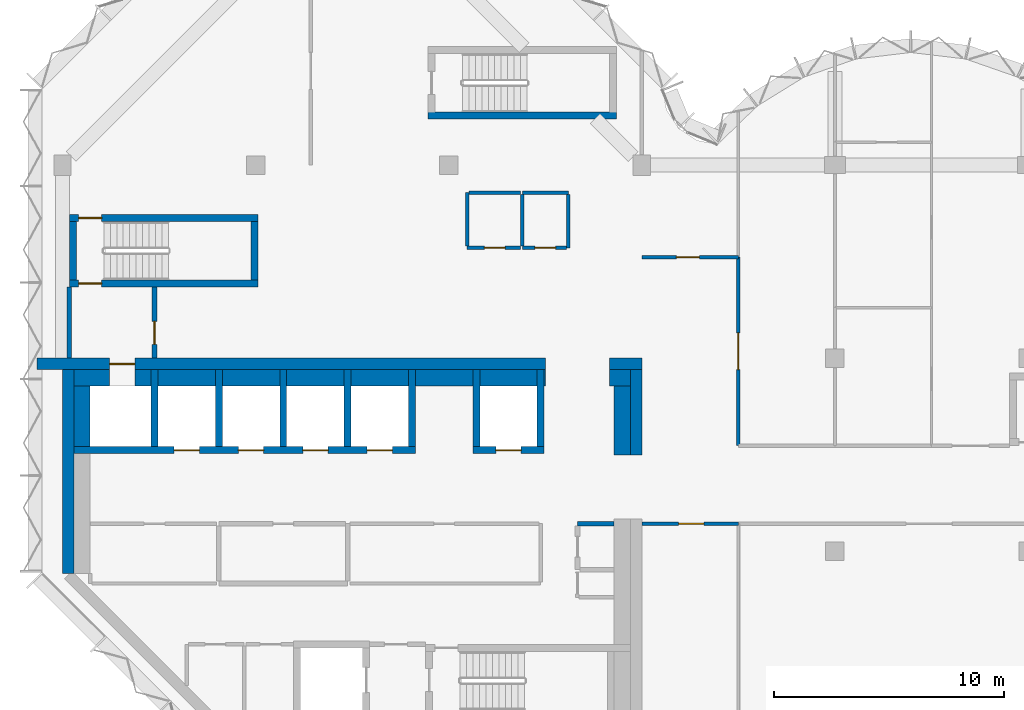
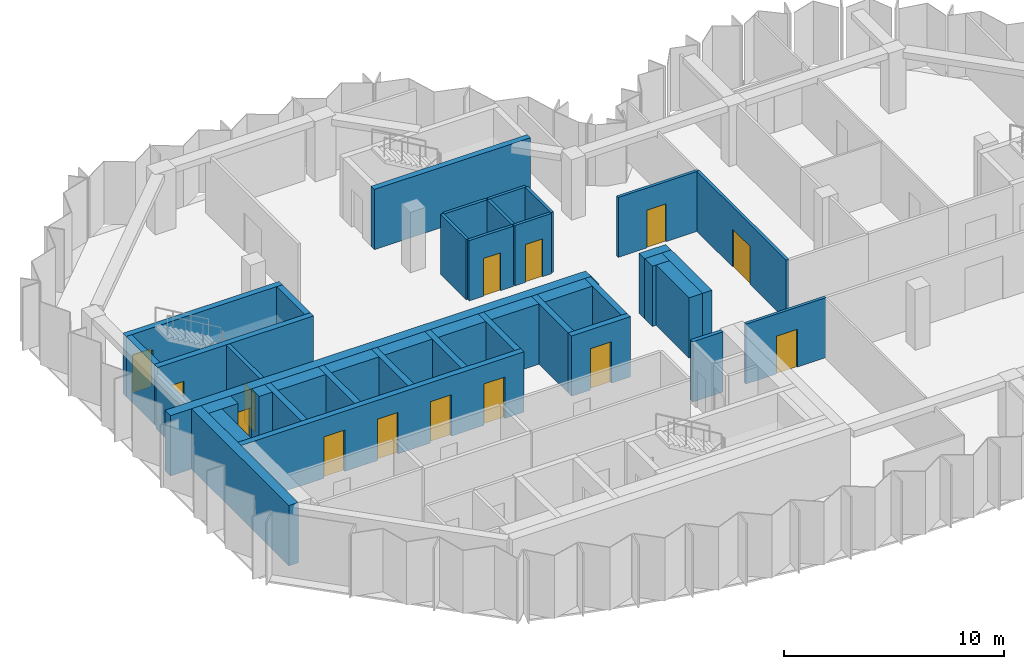
# One storey, part 5 of 9: 43 walls, 14 doors, 14 openings.
"""IFC4 building model written with IfcOpenShell, lengths in metres."""

from ifc_helpers import new_model, si_unit, direction, frame, frame_2d, origin, place, context, subcontext, project, spatial, rectangle, extrude, material, layer, layer_set, type_object, element, fill, save


model = new_model("IFC4")

# Units and contexts
model_context = context("Model", 3, precision=1e-05, world=origin(), true_north=direction((0.0, 1.0)))
body_context = subcontext(model_context, "Body", "Model", "MODEL_VIEW")
ifc_project = project(units=[si_unit("LENGTHUNIT", "METRE"), si_unit("AREAUNIT", "SQUARE_METRE"), si_unit("VOLUMEUNIT", "CUBIC_METRE"), si_unit("PLANEANGLEUNIT", "RADIAN"), si_unit("MASSUNIT", "GRAM", prefix="KILO")], contexts=[model_context])

# Site, building, storey
site_placement = place(None, origin())
site = spatial("IfcSite", under=ifc_project, at=site_placement, CompositionType="ELEMENT")
building_placement = place(site_placement, origin())
building = spatial("IfcBuilding", under=site, at=building_placement, Name="Brevane Broadcast Tower", CompositionType="ELEMENT")
storey_placement = place(building_placement, frame((0.0, 0.0, 248.10009765625)))
storey = spatial("IfcBuildingStorey", under=building, at=storey_placement, Name="L63", CompositionType="ELEMENT", Elevation=248.10009765625)

# Walls
ifc_material_1 = material(Name="Concrete C32/40", Category="concrete")
ifc_layer_1 = layer(ifc_material_1, 0.699951171875)
ifc_layer_set_1 = layer_set([ifc_layer_1], Name="Core chase wall 700 mm")
wall_type_1 = type_object("IfcWallType", Name="Core chase wall 700 mm", PredefinedType="PARTITIONING", material=ifc_layer_set_1)
wall_1_placement = place(storey_placement, frame((24.35009765625, 12.60009765625, 0.0), z_axis=(0.0, 0.0, 1.0), x_axis=(0.0, 1.0, 0.0)))
element("IfcWall", 1, at=wall_1_placement, inside=storey, type_object=wall_type_1, Name="L63 chase wall LE2", PredefinedType="PARTITIONING", context=body_context, shape_type="SweptSolid", body=[
    extrude(rectangle(XDim=3.0, YDim=0.699951171875, at=frame_2d((1.5, 0.0))), origin(), (0.0, 0.0, 1.0), 3.349853515625),
])
wall_2_placement = place(storey_placement, frame((0.5, 15.949951171875, 0.0), z_axis=(0.0, 0.0, 1.0), x_axis=(1.0, 0.0, 0.0)))
element("IfcWall", 2, at=wall_2_placement, inside=storey, type_object=wall_type_1, Name="L63 chase wall LN0", PredefinedType="PARTITIONING", context=body_context, shape_type="SweptSolid", body=[
    extrude(rectangle(XDim=1.550048828125, YDim=0.699951171875, at=frame_2d((0.77490234375, 0.0))), origin(), (0.0, 0.0, 1.0), 3.349853515625),
])
wall_3_placement = place(storey_placement, frame((23.800048828125, 15.949951171875, 0.0), z_axis=(0.0, 0.0, 1.0), x_axis=(1.0, 0.0, 0.0)))
element("IfcWall", 3, at=wall_3_placement, inside=storey, type_object=wall_type_1, Name="L63 chase wall LN2", PredefinedType="PARTITIONING", context=body_context, shape_type="SweptSolid", body=[
    extrude(rectangle(XDim=0.89990234375, YDim=0.699951171875, at=frame_2d((0.449951171875, 0.0))), origin(), (0.0, 0.0, 1.0), 3.349853515625),
])
wall_4_placement = place(storey_placement, frame((0.85009765625, 12.949951171875, 0.0), z_axis=(0.0, 0.0, 1.0), x_axis=(0.0, 1.0, 0.0)))
element("IfcWall", 4, at=wall_4_placement, inside=storey, type_object=wall_type_1, Name="L63 chase wall LW-2", PredefinedType="PARTITIONING", context=body_context, shape_type="SweptSolid", body=[
    extrude(rectangle(XDim=2.650146484375, YDim=0.699951171875, at=frame_2d((1.3251953125, 0.0))), origin(), (0.0, 0.0, 1.0), 3.349853515625),
])
wall_5_placement = place(storey_placement, frame((3.14990234375, 15.949951171875, 0.0), z_axis=(0.0, 0.0, 1.0), x_axis=(1.0, 0.0, 0.0)))
element("IfcWall", 5, at=wall_5_placement, inside=storey, type_object=wall_type_1, Name="L63 chase wall LN1-1", PredefinedType="PARTITIONING", context=body_context, shape_type="SweptSolid", body=[
    extrude(rectangle(XDim=0.7001953125, YDim=0.699951171875, at=frame_2d((0.35009765625, 0.0))), origin(), (0.0, 0.0, 1.0), 3.349853515625),
])
for number, where, z_axis, x_axis, name in (
    (6, (4.14990234375, 15.949951171875, 0.0), (0.0, 0.0, 1.0), (1.0, 0.0, 0.0), "L63 chase wall LN1-2-1"),
    (7, (6.949951171875, 15.949951171875, 0.0), (0.0, 0.0, 1.0), (1.0, 0.0, 0.0), "L63 chase wall LN1-2-2-1"),
    (8, (9.75, 15.949951171875, 0.0), (0.0, 0.0, 1.0), (1.0, 0.0, 0.0), "L63 chase wall LN1-2-2-2-1"),
    (9, (12.550048828125, 15.949951171875, 0.0), (0.0, 0.0, 1.0), (1.0, 0.0, 0.0), "L63 chase wall LN1-2-2-2-2-1"),
    (10, (15.35009765625, 15.949951171875, 0.0), (0.0, 0.0, 1.0), (1.0, 0.0, 0.0), "L63 chase wall LN1-2-2-2-2-2-1"),
    (11, (18.14990234375, 15.949951171875, 0.0), (0.0, 0.0, 1.0), (1.0, 0.0, 0.0), "L63 chase wall LN1-2-2-2-2-2-2-1"),
):
    element("IfcWall", number, at=place(storey_placement, frame(where, z_axis=z_axis, x_axis=x_axis)), inside=storey, type_object=wall_type_1, Name=name, PredefinedType="PARTITIONING", context=body_context, shape_type="SweptSolid", body=[
        extrude(rectangle(XDim=2.5, YDim=0.699951171875, at=frame_2d((1.25, 0.0))), origin(), (0.0, 0.0, 1.0), 3.349853515625),
    ])
wall_6_placement = place(storey_placement, frame((20.949951171875, 15.949951171875, 0.0), z_axis=(0.0, 0.0, 1.0), x_axis=(1.0, 0.0, 0.0)))
element("IfcWall", 12, at=wall_6_placement, inside=storey, type_object=wall_type_1, Name="L63 chase wall LN1-2-2-2-2-2-2-2", PredefinedType="PARTITIONING", context=body_context, shape_type="SweptSolid", body=[
    extrude(rectangle(XDim=0.050048828125, YDim=0.699951171875, at=frame_2d((0.02490234375, 0.0))), origin(), (0.0, 0.0, 1.0), 3.349853515625),
])
ifc_material_2 = material(Name="Gypsum board on steel studs", Category="steel")
ifc_layer_2 = layer(ifc_material_2, 0.14990234375)
ifc_layer_set_2 = layer_set([ifc_layer_2], Name="Core fire partition 150 mm")
wall_type_2 = type_object("IfcWallType", Name="Core fire partition 150 mm", PredefinedType="PARTITIONING", material=ifc_layer_set_2)
wall_7_placement = place(storey_placement, frame((20.0, 24.0, 0.0), z_axis=(0.0, 0.0, 1.0), x_axis=(1.0, 0.0, 0.0)))
element("IfcWall", 13, at=wall_7_placement, inside=storey, type_object=wall_type_2, Name="L63 partition wall P22", PredefinedType="PARTITIONING", context=body_context, shape_type="SweptSolid", body=[
    extrude(rectangle(XDim=2.0, YDim=0.14990234375, at=frame_2d((1.0, 0.0))), origin(), (0.0, 0.0, 1.0), 3.349853515625),
])
wall_8_placement = place(storey_placement, frame((22.0, 23.925048828125, 0.0), z_axis=(0.0, 0.0, 1.0), x_axis=(0.0, -1.0, 0.0)))
element("IfcWall", 14, at=wall_8_placement, inside=storey, type_object=wall_type_2, Name="L63 partition wall P23", PredefinedType="PARTITIONING", context=body_context, shape_type="SweptSolid", body=[
    extrude(rectangle(XDim=2.324951171875, YDim=0.14990234375, at=frame_2d((1.16259765625, 0.0))), origin(), (0.0, 0.0, 1.0), 3.349853515625),
])

# Wall, opening, door
wall_9_placement = place(storey_placement, frame((21.925048828125, 21.60009765625, 0.0), z_axis=(0.0, 0.0, 1.0), x_axis=(-1.0, 0.0, 0.0)))
wall_9 = element("IfcWall", 15, at=wall_9_placement, inside=storey, type_object=wall_type_2, Name="L63 partition wall P24", PredefinedType="PARTITIONING", context=body_context, shape_type="SweptSolid", body=[
    extrude(rectangle(XDim=1.925048828125, YDim=0.14990234375, at=frame_2d((0.96240234375, 0.0))), origin(), (0.0, 0.0, 1.0), 3.349853515625),
])
opening_1_placement = place(wall_9_placement, frame((0.47509765625, 0.0, 0.0)))
opening_1 = element("IfcOpeningElement", 16, at=opening_1_placement, cuts=wall_9, Name="Opening L63-K23", PredefinedType="OPENING", context=body_context, shape_type="SweptSolid", body=[
    extrude(rectangle(XDim=0.89990234375, YDim=2.10009765625, at=frame_2d((0.449951171875, 1.050048828125))), frame((0.0, 0.0849609375, 0.0), z_axis=(0.0, -1.0, 0.0), x_axis=(1.0, 0.0, 0.0)), (0.0, 0.0, 1.0), 0.169921875),
])
ifc_material_3 = material(Name="Timber", Category="wood")
door_type_1 = type_object("IfcDoorType", Name="Toilet door 900 x 2100", OperationType="SINGLE_SWING_LEFT", PredefinedType="DOOR", material=ifc_material_3)
door_1_placement = place(opening_1_placement, origin())
door_1 = element("IfcDoor", 17, at=door_1_placement, inside=storey, type_object=door_type_1, Name="Door L63-K23", OperationType="SINGLE_SWING_RIGHT", OverallHeight=2.10009765625, OverallWidth=0.89990234375, PredefinedType="DOOR", context=body_context, shape_type="SweptSolid", body=[
    extrude(rectangle(XDim=0.89990234375, YDim=2.10009765625, at=frame_2d((0.449951171875, 1.050048828125))), frame((0.0, 0.02490234375, 0.0), z_axis=(0.0, -1.0, 0.0), x_axis=(1.0, 0.0, 0.0)), (0.0, 0.0, 1.0), 0.050048828125),
])
fill(opening_1, door_1)

# Wall
wall_10_placement = place(storey_placement, frame((20.0, 21.675048828125, 0.0), z_axis=(0.0, 0.0, 1.0), x_axis=(0.0, 1.0, 0.0)))
element("IfcWall", 18, at=wall_10_placement, inside=storey, type_object=wall_type_2, Name="L63 partition wall P25", PredefinedType="PARTITIONING", context=body_context, shape_type="SweptSolid", body=[
    extrude(rectangle(XDim=2.25, YDim=0.14990234375, at=frame_2d((1.125, 0.0))), origin(), (0.0, 0.0, 1.0), 3.349853515625),
])

# Wall, opening, door
wall_11_placement = place(storey_placement, frame((19.925048828125, 21.60009765625, 0.0), z_axis=(0.0, 0.0, 1.0), x_axis=(-1.0, 0.0, 0.0)))
wall_11 = element("IfcWall", 19, at=wall_11_placement, inside=storey, type_object=wall_type_2, Name="L63 partition wall P26", PredefinedType="PARTITIONING", context=body_context, shape_type="SweptSolid", body=[
    extrude(rectangle(XDim=2.324951171875, YDim=0.14990234375, at=frame_2d((1.16259765625, 0.0))), origin(), (0.0, 0.0, 1.0), 3.349853515625),
])
opening_2_placement = place(wall_11_placement, frame((0.675048828125, 0.0, 0.0)))
opening_2 = element("IfcOpeningElement", 20, at=opening_2_placement, cuts=wall_11, Name="Opening L63-K24", PredefinedType="OPENING", context=body_context, shape_type="SweptSolid", body=[
    extrude(rectangle(XDim=0.89990234375, YDim=2.10009765625, at=frame_2d((0.449951171875, 1.050048828125))), frame((0.0, 0.0849609375, 0.0), z_axis=(0.0, -1.0, 0.0), x_axis=(1.0, 0.0, 0.0)), (0.0, 0.0, 1.0), 0.169921875),
])
ifc_material_4 = material(Name="Steel", Category="steel")
door_type_2 = type_object("IfcDoorType", Name="Service room door 900 x 2100", OperationType="SINGLE_SWING_LEFT", PredefinedType="DOOR", material=ifc_material_4)
door_2_placement = place(opening_2_placement, origin())
door_2 = element("IfcDoor", 21, at=door_2_placement, inside=storey, type_object=door_type_2, Name="Door L63-K24", OperationType="SINGLE_SWING_LEFT", OverallHeight=2.10009765625, OverallWidth=0.89990234375, PredefinedType="DOOR", context=body_context, shape_type="SweptSolid", body=[
    extrude(rectangle(XDim=0.89990234375, YDim=2.10009765625, at=frame_2d((0.449951171875, 1.050048828125))), frame((0.0, 0.02490234375, 0.0), z_axis=(0.0, -1.0, 0.0), x_axis=(1.0, 0.0, 0.0)), (0.0, 0.0, 1.0), 0.050048828125),
])
fill(opening_2, door_2)

# Walls
wall_12_placement = place(storey_placement, frame((17.60009765625, 21.675048828125, 0.0), z_axis=(0.0, 0.0, 1.0), x_axis=(0.0, 1.0, 0.0)))
element("IfcWall", 22, at=wall_12_placement, inside=storey, type_object=wall_type_2, Name="L63 partition wall P27", PredefinedType="PARTITIONING", context=body_context, shape_type="SweptSolid", body=[
    extrude(rectangle(XDim=2.324951171875, YDim=0.14990234375, at=frame_2d((1.16259765625, 0.0))), origin(), (0.0, 0.0, 1.0), 3.349853515625),
])
wall_13_placement = place(storey_placement, frame((17.675048828125, 24.0, 0.0), z_axis=(0.0, 0.0, 1.0), x_axis=(1.0, 0.0, 0.0)))
element("IfcWall", 23, at=wall_13_placement, inside=storey, type_object=wall_type_2, Name="L63 partition wall P28", PredefinedType="PARTITIONING", context=body_context, shape_type="SweptSolid", body=[
    extrude(rectangle(XDim=2.25, YDim=0.14990234375, at=frame_2d((1.125, 0.0))), origin(), (0.0, 0.0, 1.0), 3.349853515625),
])
ifc_layer_3 = layer(ifc_material_2, 0.199951171875)
ifc_layer_set_3 = layer_set([ifc_layer_3], Name="Core fire partition 200 mm")
wall_type_3 = type_object("IfcWallType", Name="Core fire partition 200 mm", PredefinedType="PARTITIONING", material=ifc_layer_set_3)
wall_14_placement = place(storey_placement, frame((0.300048828125, 16.81201171875, 0.0), z_axis=(0.0, 0.0, 1.0), x_axis=(0.0, 1.0, 0.0)))
element("IfcWall", 24, at=wall_14_placement, inside=storey, type_object=wall_type_3, Name="L63 partition wall P01", PredefinedType="PARTITIONING", context=body_context, shape_type="SweptSolid", body=[
    extrude(rectangle(XDim=3.075927734375, YDim=0.199951171875, at=frame_2d((1.5380859375, 0.0))), origin(), (0.0, 0.0, 1.0), 2.97998046875),
])

# Wall, opening, door
wall_15_placement = place(storey_placement, frame((4.0, 19.887939453125, 0.0), z_axis=(0.0, 0.0, 1.0), x_axis=(0.0, -1.0, 0.0)))
wall_15 = element("IfcWall", 25, at=wall_15_placement, inside=storey, type_object=wall_type_3, Name="L63 partition wall P02", PredefinedType="PARTITIONING", context=body_context, shape_type="SweptSolid", body=[
    extrude(rectangle(XDim=3.075927734375, YDim=0.199951171875, at=frame_2d((1.5380859375, 0.0))), origin(), (0.0, 0.0, 1.0), 3.349853515625),
])
opening_3_placement = place(wall_15_placement, frame((1.488037109375, 0.0, 0.0)))
opening_3 = element("IfcOpeningElement", 26, at=opening_3_placement, cuts=wall_15, Name="Opening L63-K22", PredefinedType="OPENING", context=body_context, shape_type="SweptSolid", body=[
    extrude(rectangle(XDim=1.0, YDim=2.10009765625, at=frame_2d((0.5, 1.050048828125))), frame((0.0, 0.10986328125, 0.0), z_axis=(0.0, -1.0, 0.0), x_axis=(1.0, 0.0, 0.0)), (0.0, 0.0, 1.0), 0.219970703125),
])
door_type_3 = type_object("IfcDoorType", Name="Stair door 1000 x 2100", OperationType="SINGLE_SWING_LEFT", PredefinedType="DOOR", material=ifc_material_4)
door_3_placement = place(opening_3_placement, origin())
door_3 = element("IfcDoor", 27, at=door_3_placement, inside=storey, type_object=door_type_3, Name="Door L63-K22", OperationType="SINGLE_SWING_LEFT", OverallHeight=2.10009765625, OverallWidth=1.0, PredefinedType="DOOR", context=body_context, shape_type="SweptSolid", body=[
    extrude(rectangle(XDim=1.0, YDim=2.10009765625, at=frame_2d((0.5, 1.050048828125))), frame((0.0, 0.02490234375, 0.0), z_axis=(0.0, -1.0, 0.0), x_axis=(1.0, 0.0, 0.0)), (0.0, 0.0, 1.0), 0.050048828125),
])
fill(opening_3, door_3)

# Wall
wall_16_placement = place(storey_placement, frame((23.988037109375, 9.60009765625, 0.0), z_axis=(0.0, 0.0, 1.0), x_axis=(-1.0, 0.0, 0.0)))
element("IfcWall", 28, at=wall_16_placement, inside=storey, type_object=wall_type_3, Name="L63 partition wall P04", PredefinedType="PARTITIONING", context=body_context, shape_type="SweptSolid", body=[
    extrude(rectangle(XDim=1.588134765625, YDim=0.199951171875, at=frame_2d((0.7939453125, 0.0))), origin(), (0.0, 0.0, 1.0), 3.349853515625),
])

# Wall, openings, doors
ifc_material_5 = material(Name="Concrete C50/60", Category="concrete")
ifc_layer_4 = layer(ifc_material_5, 0.300048828125)
ifc_layer_set_4 = layer_set([ifc_layer_4], Name="Core wall 300 mm C50/60")
wall_type_4 = type_object("IfcWallType", Name="Core wall 300 mm C50/60", PredefinedType="SHEAR", material=ifc_layer_set_4)
wall_17_placement = place(storey_placement, frame((0.5, 12.800048828125, 0.0), z_axis=(0.0, 0.0, 1.0), x_axis=(1.0, 0.0, 0.0)))
wall_17 = element("IfcWall", 29, at=wall_17_placement, inside=storey, type_object=wall_type_4, Name="L63 shaft wall SH-N012-front", PredefinedType="SHEAR", context=body_context, shape_type="SweptSolid", body=[
    extrude(rectangle(XDim=14.85009765625, YDim=0.300048828125, at=frame_2d((7.425048828125, 0.0))), origin(), (0.0, 0.0, 1.0), 3.349853515625),
])
opening_4_placement = place(wall_17_placement, frame((4.35009765625, 0.0, 0.0)))
opening_4 = element("IfcOpeningElement", 30, at=opening_4_placement, cuts=wall_17, Name="Opening LD", PredefinedType="OPENING", context=body_context, shape_type="SweptSolid", body=[
    extrude(rectangle(XDim=1.10009765625, YDim=2.300048828125, at=frame_2d((0.550048828125, 1.14990234375))), frame((0.0, 0.159912109375, 0.0), z_axis=(0.0, -1.0, 0.0), x_axis=(1.0, 0.0, 0.0)), (0.0, 0.0, 1.0), 0.320068359375),
])
opening_5_placement = place(wall_17_placement, frame((7.14990234375, 0.0, 0.0)))
opening_5 = element("IfcOpeningElement", 31, at=opening_5_placement, cuts=wall_17, Name="Opening LD", PredefinedType="OPENING", context=body_context, shape_type="SweptSolid", body=[
    extrude(rectangle(XDim=1.10009765625, YDim=2.300048828125, at=frame_2d((0.550048828125, 1.14990234375))), frame((0.0, 0.159912109375, 0.0), z_axis=(0.0, -1.0, 0.0), x_axis=(1.0, 0.0, 0.0)), (0.0, 0.0, 1.0), 0.320068359375),
])
opening_6_placement = place(wall_17_placement, frame((9.949951171875, 0.0, 0.0)))
opening_6 = element("IfcOpeningElement", 32, at=opening_6_placement, cuts=wall_17, Name="Opening LD", PredefinedType="OPENING", context=body_context, shape_type="SweptSolid", body=[
    extrude(rectangle(XDim=1.10009765625, YDim=2.300048828125, at=frame_2d((0.550048828125, 1.14990234375))), frame((0.0, 0.159912109375, 0.0), z_axis=(0.0, -1.0, 0.0), x_axis=(1.0, 0.0, 0.0)), (0.0, 0.0, 1.0), 0.320068359375),
])
opening_7_placement = place(wall_17_placement, frame((12.75, 0.0, 0.0)))
opening_7 = element("IfcOpeningElement", 33, at=opening_7_placement, cuts=wall_17, Name="Opening LD", PredefinedType="OPENING", context=body_context, shape_type="SweptSolid", body=[
    extrude(rectangle(XDim=1.10009765625, YDim=2.300048828125, at=frame_2d((0.550048828125, 1.14990234375))), frame((0.0, 0.159912109375, 0.0), z_axis=(0.0, -1.0, 0.0), x_axis=(1.0, 0.0, 0.0)), (0.0, 0.0, 1.0), 0.320068359375),
])
ifc_material_6 = material(Name="Stainless steel", Category="steel")
door_type_4 = type_object("IfcDoorType", Name="Lift landing door", OperationType="SLIDING_TO_LEFT", PredefinedType="DOOR", material=ifc_material_6)
door_4_placement = place(opening_4_placement, origin())
door_4 = element("IfcDoor", 34, at=door_4_placement, inside=storey, type_object=door_type_4, Name="Landing door HR1 L63", OperationType="SLIDING_TO_LEFT", OverallHeight=2.300048828125, OverallWidth=1.10009765625, PredefinedType="DOOR", context=body_context, shape_type="SweptSolid", body=[
    extrude(rectangle(XDim=1.10009765625, YDim=2.300048828125, at=frame_2d((0.550048828125, 1.14990234375))), frame((0.0, 0.02490234375, 0.0), z_axis=(0.0, -1.0, 0.0), x_axis=(1.0, 0.0, 0.0)), (0.0, 0.0, 1.0), 0.050048828125),
])
fill(opening_4, door_4)
door_5_placement = place(opening_5_placement, origin())
door_5 = element("IfcDoor", 35, at=door_5_placement, inside=storey, type_object=door_type_4, Name="Landing door HR2 L63", OperationType="SLIDING_TO_LEFT", OverallHeight=2.300048828125, OverallWidth=1.10009765625, PredefinedType="DOOR", context=body_context, shape_type="SweptSolid", body=[
    extrude(rectangle(XDim=1.10009765625, YDim=2.300048828125, at=frame_2d((0.550048828125, 1.14990234375))), frame((0.0, 0.02490234375, 0.0), z_axis=(0.0, -1.0, 0.0), x_axis=(1.0, 0.0, 0.0)), (0.0, 0.0, 1.0), 0.050048828125),
])
fill(opening_5, door_5)
door_6_placement = place(opening_6_placement, origin())
door_6 = element("IfcDoor", 36, at=door_6_placement, inside=storey, type_object=door_type_4, Name="Landing door HR3 L63", OperationType="SLIDING_TO_LEFT", OverallHeight=2.300048828125, OverallWidth=1.10009765625, PredefinedType="DOOR", context=body_context, shape_type="SweptSolid", body=[
    extrude(rectangle(XDim=1.10009765625, YDim=2.300048828125, at=frame_2d((0.550048828125, 1.14990234375))), frame((0.0, 0.02490234375, 0.0), z_axis=(0.0, -1.0, 0.0), x_axis=(1.0, 0.0, 0.0)), (0.0, 0.0, 1.0), 0.050048828125),
])
fill(opening_6, door_6)
door_7_placement = place(opening_7_placement, origin())
door_7 = element("IfcDoor", 37, at=door_7_placement, inside=storey, type_object=door_type_4, Name="Landing door HR4 L63", OperationType="SLIDING_TO_LEFT", OverallHeight=2.300048828125, OverallWidth=1.10009765625, PredefinedType="DOOR", context=body_context, shape_type="SweptSolid", body=[
    extrude(rectangle(XDim=1.10009765625, YDim=2.300048828125, at=frame_2d((0.550048828125, 1.14990234375))), frame((0.0, 0.02490234375, 0.0), z_axis=(0.0, -1.0, 0.0), x_axis=(1.0, 0.0, 0.0)), (0.0, 0.0, 1.0), 0.050048828125),
])
fill(opening_7, door_7)

# Walls
for number, where, z_axis, x_axis, name in (
    (38, (4.0, 12.949951171875, 0.0), (0.0, 0.0, 1.0), (0.0, 1.0, 0.0), "L63 shaft wall SH-N-P040"),
    (39, (6.800048828125, 12.949951171875, 0.0), (0.0, 0.0, 1.0), (0.0, 1.0, 0.0), "L63 shaft wall SH-N-P068"),
    (40, (9.60009765625, 12.949951171875, 0.0), (0.0, 0.0, 1.0), (0.0, 1.0, 0.0), "L63 shaft wall SH-N-P096"),
    (41, (12.39990234375, 12.949951171875, 0.0), (0.0, 0.0, 1.0), (0.0, 1.0, 0.0), "L63 shaft wall SH-N-P124"),
    (42, (15.199951171875, 12.949951171875, 0.0), (0.0, 0.0, 1.0), (0.0, 1.0, 0.0), "L63 shaft wall SH-N-P152"),
):
    element("IfcWall", number, at=place(storey_placement, frame(where, z_axis=z_axis, x_axis=x_axis)), inside=storey, type_object=wall_type_4, Name=name, PredefinedType="SHEAR", context=body_context, shape_type="SweptSolid", body=[
        extrude(rectangle(XDim=3.35009765625, YDim=0.300048828125, at=frame_2d((1.675048828125, 0.0))), origin(), (0.0, 0.0, 1.0), 3.349853515625),
    ])

# Wall, opening, door
wall_18_placement = place(storey_placement, frame((17.85009765625, 12.800048828125, 0.0), z_axis=(0.0, 0.0, 1.0), x_axis=(1.0, 0.0, 0.0)))
wall_18 = element("IfcWall", 43, at=wall_18_placement, inside=storey, type_object=wall_type_4, Name="L63 shaft wall SH-N180-front", PredefinedType="SHEAR", context=body_context, shape_type="SweptSolid", body=[
    extrude(rectangle(XDim=3.099853515625, YDim=0.300048828125, at=frame_2d((1.5498046875, 0.0))), origin(), (0.0, 0.0, 1.0), 3.349853515625),
])
opening_8_placement = place(wall_18_placement, frame((1.0, 0.0, 0.0)))
opening_8 = element("IfcOpeningElement", 44, at=opening_8_placement, cuts=wall_18, Name="Opening LD", PredefinedType="OPENING", context=body_context, shape_type="SweptSolid", body=[
    extrude(rectangle(XDim=1.10009765625, YDim=2.300048828125, at=frame_2d((0.550048828125, 1.14990234375))), frame((0.0, 0.159912109375, 0.0), z_axis=(0.0, -1.0, 0.0), x_axis=(1.0, 0.0, 0.0)), (0.0, 0.0, 1.0), 0.320068359375),
])
door_8_placement = place(opening_8_placement, origin())
door_8 = element("IfcDoor", 45, at=door_8_placement, inside=storey, type_object=door_type_4, Name="Landing door SL1 L63", OperationType="SLIDING_TO_LEFT", OverallHeight=2.300048828125, OverallWidth=1.10009765625, PredefinedType="DOOR", context=body_context, shape_type="SweptSolid", body=[
    extrude(rectangle(XDim=1.10009765625, YDim=2.300048828125, at=frame_2d((0.550048828125, 1.14990234375))), frame((0.0, 0.02490234375, 0.0), z_axis=(0.0, -1.0, 0.0), x_axis=(1.0, 0.0, 0.0)), (0.0, 0.0, 1.0), 0.050048828125),
])
fill(opening_8, door_8)

# Walls
for number, where, z_axis, x_axis, name in (
    (46, (18.0, 12.949951171875, 0.0), (0.0, 0.0, 1.0), (0.0, 1.0, 0.0), "L63 shaft wall SH-N-P180"),
    (47, (20.800048828125, 12.949951171875, 0.0), (0.0, 0.0, 1.0), (0.0, 1.0, 0.0), "L63 shaft wall SH-N-P208"),
):
    element("IfcWall", number, at=place(storey_placement, frame(where, z_axis=z_axis, x_axis=x_axis)), inside=storey, type_object=wall_type_4, Name=name, PredefinedType="SHEAR", context=body_context, shape_type="SweptSolid", body=[
        extrude(rectangle(XDim=3.35009765625, YDim=0.300048828125, at=frame_2d((1.675048828125, 0.0))), origin(), (0.0, 0.0, 1.0), 3.349853515625),
    ])

# Wall, opening, door
wall_19_placement = place(storey_placement, frame((8.5, 20.050048828125, 0.0), z_axis=(0.0, 0.0, 1.0), x_axis=(-1.0, 0.0, 0.0)))
wall_19 = element("IfcWall", 48, at=wall_19_placement, inside=storey, type_object=wall_type_4, Name="L63 stair wall ST-1-S", PredefinedType="SHEAR", context=body_context, shape_type="SweptSolid", body=[
    extrude(rectangle(XDim=8.199951171875, YDim=0.300048828125, at=frame_2d((4.10009765625, 0.0))), origin(), (0.0, 0.0, 1.0), 3.349853515625),
])
opening_9_placement = place(wall_19_placement, frame((6.800048828125, 0.0, 0.0)))
opening_9 = element("IfcOpeningElement", 49, at=opening_9_placement, cuts=wall_19, Name="Opening L63-K08", PredefinedType="OPENING", context=body_context, shape_type="SweptSolid", body=[
    extrude(rectangle(XDim=1.0, YDim=2.10009765625, at=frame_2d((0.5, 1.050048828125))), frame((0.0, 0.159912109375, 0.0), z_axis=(0.0, -1.0, 0.0), x_axis=(1.0, 0.0, 0.0)), (0.0, 0.0, 1.0), 0.320068359375),
])
door_9_placement = place(opening_9_placement, origin())
door_9 = element("IfcDoor", 50, at=door_9_placement, inside=storey, type_object=door_type_3, Name="Door L63-K08", OperationType="SINGLE_SWING_LEFT", OverallHeight=2.10009765625, OverallWidth=1.0, PredefinedType="DOOR", context=body_context, shape_type="SweptSolid", body=[
    extrude(rectangle(XDim=1.0, YDim=2.10009765625, at=frame_2d((0.5, 1.050048828125))), frame((0.0, 0.02490234375, 0.0), z_axis=(0.0, -1.0, 0.0), x_axis=(1.0, 0.0, 0.0)), (0.0, 0.0, 1.0), 0.050048828125),
])
fill(opening_9, door_9)

wall_20_placement = place(storey_placement, frame((0.300048828125, 22.89990234375, 0.0), z_axis=(0.0, 0.0, 1.0), x_axis=(1.0, 0.0, 0.0)))
wall_20 = element("IfcWall", 51, at=wall_20_placement, inside=storey, type_object=wall_type_4, Name="L63 stair wall ST-1-N", PredefinedType="SHEAR", context=body_context, shape_type="SweptSolid", body=[
    extrude(rectangle(XDim=8.199951171875, YDim=0.300048828125, at=frame_2d((4.10009765625, 0.0))), origin(), (0.0, 0.0, 1.0), 3.349853515625),
])
opening_10_placement = place(wall_20_placement, frame((0.39990234375, 0.0, 0.0)))
opening_10 = element("IfcOpeningElement", 52, at=opening_10_placement, cuts=wall_20, Name="Opening L63-K09", PredefinedType="OPENING", context=body_context, shape_type="SweptSolid", body=[
    extrude(rectangle(XDim=1.0, YDim=2.10009765625, at=frame_2d((0.5, 1.050048828125))), frame((0.0, 0.159912109375, 0.0), z_axis=(0.0, -1.0, 0.0), x_axis=(1.0, 0.0, 0.0)), (0.0, 0.0, 1.0), 0.320068359375),
])
door_10_placement = place(opening_10_placement, origin())
door_10 = element("IfcDoor", 53, at=door_10_placement, inside=storey, type_object=door_type_3, Name="Door L63-K09", OperationType="SINGLE_SWING_RIGHT", OverallHeight=2.10009765625, OverallWidth=1.0, PredefinedType="DOOR", context=body_context, shape_type="SweptSolid", body=[
    extrude(rectangle(XDim=1.0, YDim=2.10009765625, at=frame_2d((0.5, 1.050048828125))), frame((0.0, 0.02490234375, 0.0), z_axis=(0.0, -1.0, 0.0), x_axis=(1.0, 0.0, 0.0)), (0.0, 0.0, 1.0), 0.050048828125),
])
fill(opening_10, door_10)

# Walls
for number, where, z_axis, x_axis, name in (
    (54, (0.449951171875, 20.199951171875, 0.0), (0.0, 0.0, 1.0), (0.0, 1.0, 0.0), "L63 stair wall ST-1-W"),
    (55, (8.35009765625, 20.199951171875, 0.0), (0.0, 0.0, 1.0), (0.0, 1.0, 0.0), "L63 stair wall ST-1-E"),
):
    element("IfcWall", number, at=place(storey_placement, frame(where, z_axis=z_axis, x_axis=x_axis)), inside=storey, type_object=wall_type_4, Name=name, PredefinedType="SHEAR", context=body_context, shape_type="SweptSolid", body=[
        extrude(rectangle(XDim=2.550048828125, YDim=0.300048828125, at=frame_2d((1.27490234375, 0.0))), origin(), (0.0, 0.0, 1.0), 3.349853515625),
    ])
wall_21_placement = place(storey_placement, frame((15.89990234375, 27.35009765625, 0.0), z_axis=(0.0, 0.0, 1.0), x_axis=(1.0, 0.0, 0.0)))
element("IfcWall", 56, at=wall_21_placement, inside=storey, type_object=wall_type_4, Name="L63 stair wall ST-3-S", PredefinedType="SHEAR", context=body_context, shape_type="SweptSolid", body=[
    extrude(rectangle(XDim=8.2001953125, YDim=0.300048828125, at=frame_2d((4.10009765625, 0.0))), origin(), (0.0, 0.0, 1.0), 3.349853515625),
])

# Wall, opening, door
ifc_layer_5 = layer(ifc_material_5, 0.5)
ifc_layer_set_5 = layer_set([ifc_layer_5], Name="Core wall 500 mm C50/60")
wall_type_5 = type_object("IfcWallType", Name="Core wall 500 mm C50/60", PredefinedType="SHEAR", material=ifc_layer_set_5)
wall_22_placement = place(storey_placement, frame((-1.10009765625, 16.550048828125, 0.0), z_axis=(0.0, 0.0, 1.0), x_axis=(1.0, 0.0, 0.0)))
wall_22 = element("IfcWall", 57, at=wall_22_placement, inside=storey, type_object=wall_type_5, Name="L63 outer wall WN1", PredefinedType="SHEAR", context=body_context, shape_type="SweptSolid", body=[
    extrude(rectangle(XDim=22.10009765625, YDim=0.5, at=frame_2d((11.050048828125, 0.0))), origin(), (0.0, 0.0, 1.0), 3.349853515625),
])
opening_11_placement = place(wall_22_placement, frame((3.14990234375, 0.0, 0.0)))
opening_11 = element("IfcOpeningElement", 58, at=opening_11_placement, cuts=wall_22, Name="Opening LD", PredefinedType="OPENING", context=body_context, shape_type="SweptSolid", body=[
    extrude(rectangle(XDim=1.10009765625, YDim=2.300048828125, at=frame_2d((0.550048828125, 1.14990234375))), frame((0.0, 0.260009765625, 0.0), z_axis=(0.0, -1.0, 0.0), x_axis=(1.0, 0.0, 0.0)), (0.0, 0.0, 1.0), 0.52001953125),
])
door_11_placement = place(opening_11_placement, origin())
door_11 = element("IfcDoor", 59, at=door_11_placement, inside=storey, type_object=door_type_4, Name="Landing door FF1 L63", OperationType="SLIDING_TO_LEFT", OverallHeight=2.300048828125, OverallWidth=1.10009765625, PredefinedType="DOOR", context=body_context, shape_type="SweptSolid", body=[
    extrude(rectangle(XDim=1.10009765625, YDim=2.300048828125, at=frame_2d((0.550048828125, 1.14990234375))), frame((0.0, 0.02490234375, 0.0), z_axis=(0.0, -1.0, 0.0), x_axis=(1.0, 0.0, 0.0)), (0.0, 0.0, 1.0), 0.050048828125),
])
fill(opening_11, door_11)

# Walls
wall_23_placement = place(storey_placement, frame((23.800048828125, 16.550048828125, 0.0), z_axis=(0.0, 0.0, 1.0), x_axis=(1.0, 0.0, 0.0)))
element("IfcWall", 60, at=wall_23_placement, inside=storey, type_object=wall_type_5, Name="L63 outer wall WN2", PredefinedType="SHEAR", context=body_context, shape_type="SweptSolid", body=[
    extrude(rectangle(XDim=1.39990234375, YDim=0.5, at=frame_2d((0.699951171875, 0.0))), origin(), (0.0, 0.0, 1.0), 3.349853515625),
])
wall_24_placement = place(storey_placement, frame((0.25, 7.436279296875, 0.0), z_axis=(0.0, 0.0, 1.0), x_axis=(0.0, 1.0, 0.0)))
element("IfcWall", 61, at=wall_24_placement, inside=storey, type_object=wall_type_5, Name="L63 outer wall WW", PredefinedType="SHEAR", context=body_context, shape_type="SweptSolid", body=[
    extrude(rectangle(XDim=8.86376953125, YDim=0.5, at=frame_2d((4.431884765625, 0.0))), origin(), (0.0, 0.0, 1.0), 3.349853515625),
])
wall_25_placement = place(storey_placement, frame((24.949951171875, 12.60009765625, 0.0), z_axis=(0.0, 0.0, 1.0), x_axis=(0.0, 1.0, 0.0)))
element("IfcWall", 62, at=wall_25_placement, inside=storey, type_object=wall_type_5, Name="L63 outer wall WE2", PredefinedType="SHEAR", context=body_context, shape_type="SweptSolid", body=[
    extrude(rectangle(XDim=3.699951171875, YDim=0.5, at=frame_2d((1.85009765625, 0.0))), origin(), (0.0, 0.0, 1.0), 3.349853515625),
])

# Wall, opening, door
ifc_material_7 = material(Name="Gypsum board partition")
ifc_layer_6 = layer(ifc_material_7, 0.14990234375)
ifc_layer_set_6 = layer_set([ifc_layer_6], Name="PARTITION 150 EI 60")
wall_type_6 = type_object("IfcWallType", Name="PARTITION 150 EI 60", PredefinedType="PARTITIONING", material=ifc_layer_set_6)
wall_26_placement = place(storey_placement, frame((25.199951171875, 21.199951171875, 0.0), z_axis=(0.0, 0.0, 1.0), x_axis=(1.0, 0.0, 0.0)))
wall_26 = element("IfcWall", 63, at=wall_26_placement, inside=storey, type_object=wall_type_6, Name="Partition G19-001", PredefinedType="PARTITIONING", context=body_context, shape_type="SweptSolid", body=[
    extrude(rectangle(XDim=4.199951171875, YDim=0.14990234375, at=frame_2d((2.10009765625, 0.0))), origin(), (0.0, 0.0, 1.0), 3.329833984375),
])
opening_12_placement = place(wall_26_placement, frame((1.5, 0.0, 0.0)))
opening_12 = element("IfcOpeningElement", 64, at=opening_12_placement, cuts=wall_26, Name="Opening D30-001", PredefinedType="OPENING", context=body_context, shape_type="SweptSolid", body=[
    extrude(rectangle(XDim=1.0, YDim=2.10009765625, at=frame_2d((0.5, 1.050048828125))), frame((0.0, 0.0849609375, 0.0), z_axis=(0.0, -1.0, 0.0), x_axis=(1.0, 0.0, 0.0)), (0.0, 0.0, 1.0), 0.169921875),
])
ifc_material_8 = material(Name="Fire-rated timber door leaf", Category="wood")
door_type_5 = type_object("IfcDoorType", Name="DOOR SINGLE 1000 FD30S", OperationType="SINGLE_SWING_LEFT", PredefinedType="DOOR", material=ifc_material_8)
door_12_placement = place(opening_12_placement, origin())
door_12 = element("IfcDoor", 65, at=door_12_placement, inside=storey, type_object=door_type_5, Name="Door D30-001", OperationType="SINGLE_SWING_LEFT", OverallHeight=2.10009765625, OverallWidth=1.0, PredefinedType="DOOR", context=body_context, shape_type="SweptSolid", body=[
    extrude(rectangle(XDim=1.0, YDim=2.10009765625, at=frame_2d((0.5, 1.050048828125))), frame((0.0, 0.02490234375, 0.0), z_axis=(0.0, -1.0, 0.0), x_axis=(1.0, 0.0, 0.0)), (0.0, 0.0, 1.0), 0.050048828125),
])
fill(opening_12, door_12)

wall_27_placement = place(storey_placement, frame((29.39990234375, 9.60009765625, 0.0), z_axis=(0.0, 0.0, 1.0), x_axis=(-1.0, 0.0, 0.0)))
wall_27 = element("IfcWall", 66, at=wall_27_placement, inside=storey, type_object=wall_type_6, Name="Partition G19-002", PredefinedType="PARTITIONING", context=body_context, shape_type="SweptSolid", body=[
    extrude(rectangle(XDim=4.199951171875, YDim=0.14990234375, at=frame_2d((2.10009765625, 0.0))), origin(), (0.0, 0.0, 1.0), 3.329833984375),
])
opening_13_placement = place(wall_27_placement, frame((1.5, 0.0, 0.0)))
opening_13 = element("IfcOpeningElement", 67, at=opening_13_placement, cuts=wall_27, Name="Opening D30-003", PredefinedType="OPENING", context=body_context, shape_type="SweptSolid", body=[
    extrude(rectangle(XDim=1.10009765625, YDim=2.10009765625, at=frame_2d((0.550048828125, 1.050048828125))), frame((0.0, 0.0849609375, 0.0), z_axis=(0.0, -1.0, 0.0), x_axis=(1.0, 0.0, 0.0)), (0.0, 0.0, 1.0), 0.169921875),
])
door_type_6 = type_object("IfcDoorType", Name="DOOR SINGLE 1100 FD30S", OperationType="SINGLE_SWING_LEFT", PredefinedType="DOOR", material=ifc_material_8)
door_13_placement = place(opening_13_placement, origin())
door_13 = element("IfcDoor", 68, at=door_13_placement, inside=storey, type_object=door_type_6, Name="Door D30-003", OperationType="SINGLE_SWING_LEFT", OverallHeight=2.10009765625, OverallWidth=1.10009765625, PredefinedType="DOOR", context=body_context, shape_type="SweptSolid", body=[
    extrude(rectangle(XDim=1.10009765625, YDim=2.10009765625, at=frame_2d((0.550048828125, 1.050048828125))), frame((0.0, 0.02490234375, 0.0), z_axis=(0.0, -1.0, 0.0), x_axis=(1.0, 0.0, 0.0)), (0.0, 0.0, 1.0), 0.050048828125),
])
fill(opening_13, door_13)

wall_28_placement = place(storey_placement, frame((29.39990234375, 21.199951171875, 0.0), z_axis=(0.0, 0.0, 1.0), x_axis=(0.0, -1.0, 0.0)))
wall_28 = element("IfcWall", 69, at=wall_28_placement, inside=storey, type_object=wall_type_6, Name="Partition G19-003", PredefinedType="PARTITIONING", context=body_context, shape_type="SweptSolid", body=[
    extrude(rectangle(XDim=8.199951171875, YDim=0.14990234375, at=frame_2d((4.10009765625, 0.0))), origin(), (0.0, 0.0, 1.0), 3.329833984375),
])
opening_14_placement = place(wall_28_placement, frame((3.300048828125, 0.0, 0.0)))
opening_14 = element("IfcOpeningElement", 70, at=opening_14_placement, cuts=wall_28, Name="Opening D30-005", PredefinedType="OPENING", context=body_context, shape_type="SweptSolid", body=[
    extrude(rectangle(XDim=1.60009765625, YDim=2.10009765625, at=frame_2d((0.800048828125, 1.050048828125))), frame((0.0, 0.0849609375, 0.0), z_axis=(0.0, -1.0, 0.0), x_axis=(1.0, 0.0, 0.0)), (0.0, 0.0, 1.0), 0.169921875),
])
door_type_7 = type_object("IfcDoorType", Name="DOOR DOUBLE 1600 FD30S", OperationType="DOUBLE_DOOR_SINGLE_SWING", PredefinedType="DOOR", material=ifc_material_8)
door_14_placement = place(opening_14_placement, origin())
door_14 = element("IfcDoor", 71, at=door_14_placement, inside=storey, type_object=door_type_7, Name="Door D30-005", OperationType="DOUBLE_DOOR_SINGLE_SWING", OverallHeight=2.10009765625, OverallWidth=1.60009765625, PredefinedType="DOOR", context=body_context, shape_type="SweptSolid", body=[
    extrude(rectangle(XDim=1.60009765625, YDim=2.10009765625, at=frame_2d((0.800048828125, 1.050048828125))), frame((0.0, 0.02490234375, 0.0), z_axis=(0.0, -1.0, 0.0), x_axis=(1.0, 0.0, 0.0)), (0.0, 0.0, 1.0), 0.050048828125),
])
fill(opening_14, door_14)

save(model, "model.ifc")
